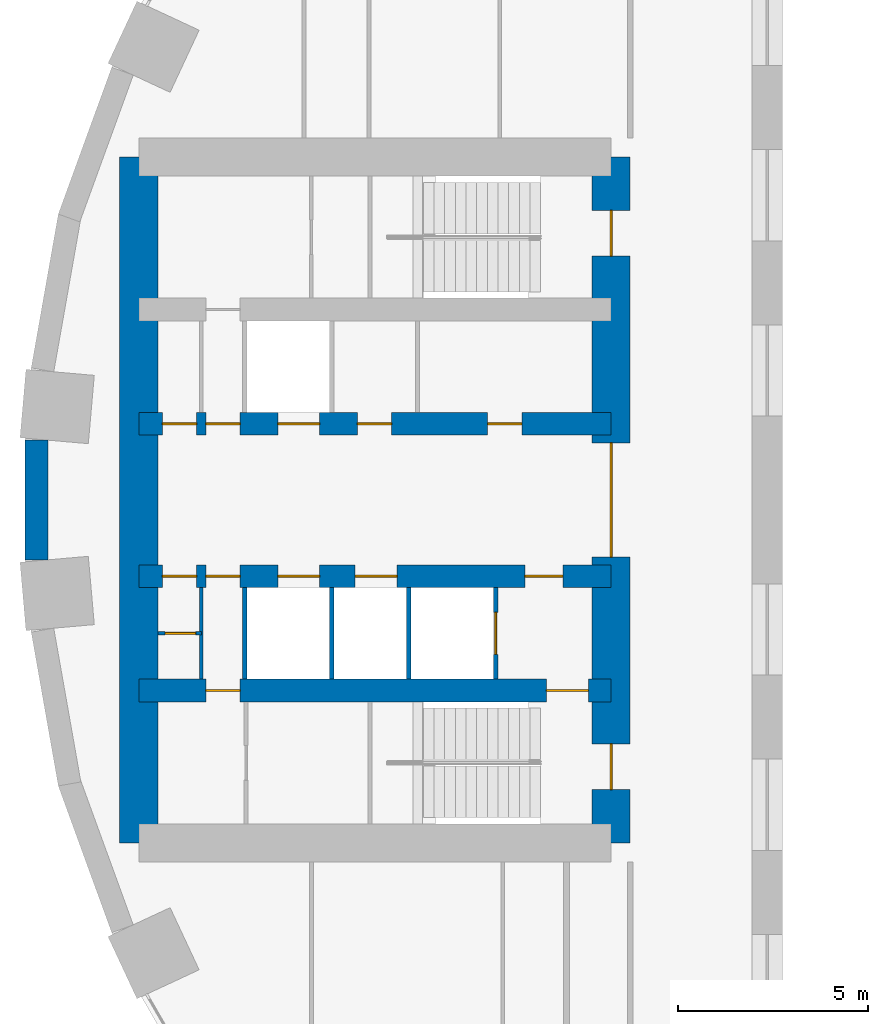
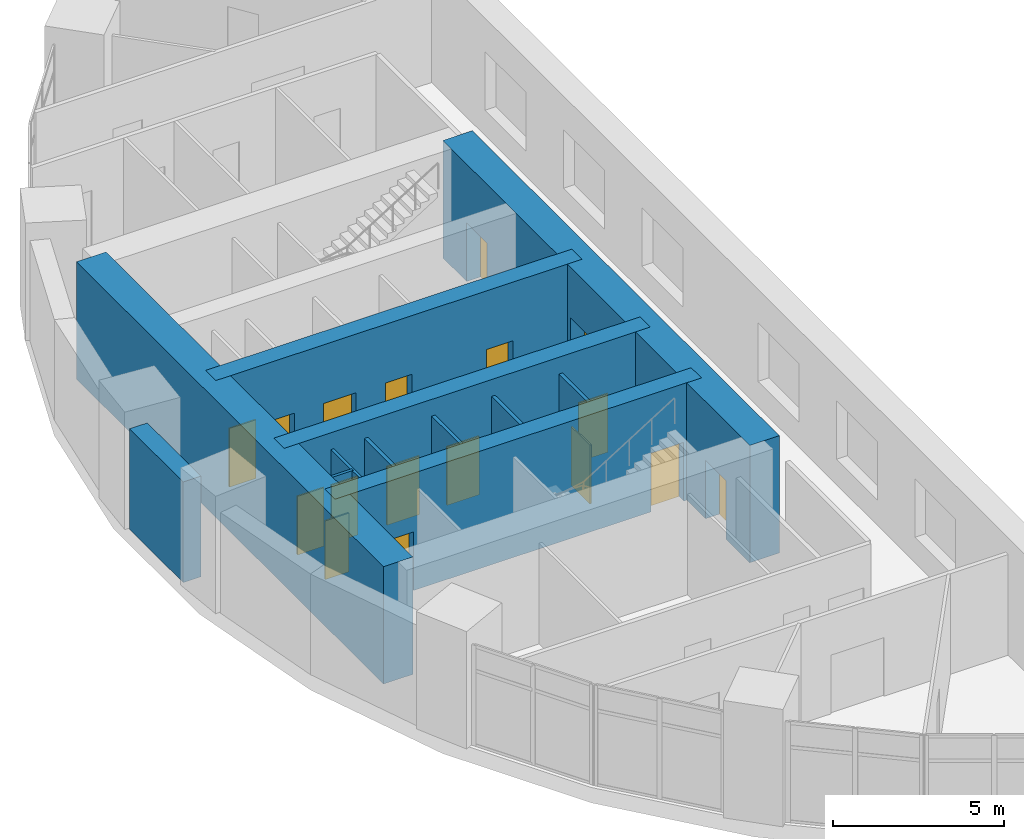
# One storey, part 10 of 15: 17 doors, 12 walls, 17 openings.
"""IFC4 building model written with IfcOpenShell, lengths in metres."""

from ifc_helpers import new_model, si_unit, direction, frame, frame_2d, origin, place, context, subcontext, project, spatial, rectangle, extrude, material, layer, layer_set, type_object, element, fill, save


model = new_model("IFC4")

# Units and contexts
model_context = context("Model", 3, precision=1e-05, world=origin(), true_north=direction((0.0, 1.0)))
body_context = subcontext(model_context, "Body", "Model", "MODEL_VIEW")
ifc_project = project(units=[si_unit("LENGTHUNIT", "METRE"), si_unit("AREAUNIT", "SQUARE_METRE"), si_unit("VOLUMEUNIT", "CUBIC_METRE"), si_unit("PLANEANGLEUNIT", "RADIAN"), si_unit("MASSUNIT", "GRAM", prefix="KILO")], contexts=[model_context])

# Site, building, storey
site_placement = place(None, origin())
site = spatial("IfcSite", under=ifc_project, at=site_placement, CompositionType="ELEMENT")
building_placement = place(site_placement, origin())
building = spatial("IfcBuilding", under=site, at=building_placement, Name="Saqina Gate Tower", CompositionType="ELEMENT")
storey_placement = place(building_placement, frame((0.0, 0.0, 17.60009765625)))
storey = spatial("IfcBuildingStorey", under=building, at=storey_placement, Name="L04", CompositionType="ELEMENT", Elevation=17.60009765625)

# Wall
ifc_material_1 = material(Name="Gypsum board on steel studs", Category="steel")
ifc_layer_1 = layer(ifc_material_1, 0.10009765625)
ifc_layer_set_1 = layer_set([ifc_layer_1], Name="CORE PARTITION")
wall_type_1 = type_object("IfcWallType", Name="CORE PARTITION", PredefinedType="PARTITIONING", material=ifc_layer_set_1)
wall_1_placement = place(storey_placement, frame((-24.260009765625, -4.699951171875, 0.0), z_axis=(0.0, 0.0, 1.0), x_axis=(0.0, 1.0, 0.0)))
element("IfcWall", 1, at=wall_1_placement, inside=storey, type_object=wall_type_1, Name="L04-CP-W09", PredefinedType="PARTITIONING", context=body_context, shape_type="SweptSolid", body=[
    extrude(rectangle(XDim=2.39990234375, YDim=0.10009765625, at=frame_2d((1.199951171875, 0.0))), origin(), (0.0, 0.0, 1.0), 3.599853515625),
])

# Wall, opening, door
wall_2_placement = place(storey_placement, frame((-24.260009765625, -3.5, 0.0), z_axis=(0.0, 0.0, 1.0), x_axis=(-1.0, 0.0, 0.0)))
wall_2 = element("IfcWall", 2, at=wall_2_placement, inside=storey, type_object=wall_type_1, Name="L04-CP-W10", PredefinedType="PARTITIONING", context=body_context, shape_type="SweptSolid", body=[
    extrude(rectangle(XDim=1.139892578125, YDim=0.10009765625, at=frame_2d((0.56982421875, 0.0))), origin(), (0.0, 0.0, 1.0), 3.599853515625),
])
opening_1_placement = place(wall_2_placement, frame((0.14990234375, 0.0, 0.0)))
opening_1 = element("IfcOpeningElement", 3, at=opening_1_placement, cuts=wall_2, Name="Opening L04-D115", PredefinedType="OPENING", context=body_context, shape_type="SweptSolid", body=[
    extrude(rectangle(XDim=0.800048828125, YDim=2.10009765625, at=frame_2d((0.39990234375, 1.050048828125))), frame((0.0, 0.06201171875, 0.0), z_axis=(0.0, -1.0, 0.0), x_axis=(1.0, 0.0, 0.0)), (0.0, 0.0, 1.0), 0.1240234375),
])
ifc_material_2 = material(Name="Steel-framed fire door leaf, EI 60", Category="steel")
door_type_1 = type_object("IfcDoorType", Name="SERVICE ROOM DOOR 800", OperationType="SINGLE_SWING_LEFT", PredefinedType="DOOR", material=ifc_material_2)
door_1_placement = place(opening_1_placement, origin())
door_1 = element("IfcDoor", 4, at=door_1_placement, inside=storey, type_object=door_type_1, Name="L04-CD-W26", OperationType="SINGLE_SWING_RIGHT", OverallHeight=2.10009765625, OverallWidth=0.800048828125, PredefinedType="DOOR", context=body_context, shape_type="SweptSolid", body=[
    extrude(rectangle(XDim=0.800048828125, YDim=2.10009765625, at=frame_2d((0.39990234375, 1.050048828125))), frame((0.0, 0.02490234375, 0.0), z_axis=(0.0, -1.0, 0.0), x_axis=(1.0, 0.0, 0.0)), (0.0, 0.0, 1.0), 0.050048828125),
])
fill(opening_1, door_1)

# Wall
ifc_material_3 = material(Name="Glazed ceramic tile (dark blue)", Category="ceramic")
ifc_layer_2 = layer(ifc_material_3, 0.60009765625)
ifc_layer_set_2 = layer_set([ifc_layer_2], Name="FW-TILE-CB")
wall_type_2 = type_object("IfcWallType", Name="FW-TILE-CB", PredefinedType="SOLIDWALL", material=ifc_layer_set_2)
wall_3_placement = place(storey_placement, frame((-28.589599609375, 1.571533203125, 0.0), z_axis=(0.0, 0.0, 1.0), x_axis=(0.0, -1.0, 0.0)))
element("IfcWall", 5, at=wall_3_placement, inside=storey, type_object=wall_type_2, Name="Facade wall L04 facet 18", PredefinedType="SOLIDWALL", context=body_context, shape_type="SweptSolid", body=[
    extrude(rectangle(XDim=3.14306640625, YDim=0.60009765625, at=frame_2d((1.571533203125, 0.0))), origin(), (0.0, 0.0, 1.0), 3.599853515625),
])

# Wall, opening, door
ifc_material_4 = material(Name="Autoclaved aerated concrete block", Category="concrete")
ifc_layer_3 = layer(ifc_material_4, 0.1201171875)
ifc_layer_set_3 = layer_set([ifc_layer_3], Name="SHAFT PARTITION")
wall_type_3 = type_object("IfcWallType", Name="SHAFT PARTITION", PredefinedType="PARTITIONING", material=ifc_layer_set_3)
wall_4_placement = place(storey_placement, frame((-16.530029296875, -4.699951171875, 0.0), z_axis=(0.0, 0.0, 1.0), x_axis=(0.0, 1.0, 0.0)))
wall_4 = element("IfcWall", 6, at=wall_4_placement, inside=storey, type_object=wall_type_3, Name="L04-CP-W05", PredefinedType="PARTITIONING", context=body_context, shape_type="SweptSolid", body=[
    extrude(rectangle(XDim=2.39990234375, YDim=0.1201171875, at=frame_2d((1.199951171875, 0.0))), origin(), (0.0, 0.0, 1.0), 3.599853515625),
])
opening_2_placement = place(wall_4_placement, frame((0.64990234375, 0.0, 0.0)))
opening_2 = element("IfcOpeningElement", 7, at=opening_2_placement, cuts=wall_4, Name="Opening L04-LD6", PredefinedType="OPENING", context=body_context, shape_type="SweptSolid", body=[
    extrude(rectangle(XDim=1.10009765625, YDim=2.10009765625, at=frame_2d((0.550048828125, 1.050048828125))), frame((0.0, 0.072021484375, 0.0), z_axis=(0.0, -1.0, 0.0), x_axis=(1.0, 0.0, 0.0)), (0.0, 0.0, 1.0), 0.14404296875),
])
ifc_material_5 = material(Name="Stainless steel", Category="steel")
door_type_2 = type_object("IfcDoorType", Name="LANDING DOOR", OperationType="DOUBLE_DOOR_SLIDING", PredefinedType="DOOR", material=ifc_material_5)
door_2_placement = place(opening_2_placement, origin())
door_2 = element("IfcDoor", 8, at=door_2_placement, inside=storey, type_object=door_type_2, Name="LANDING DOOR FF2", OperationType="DOUBLE_DOOR_SLIDING", OverallHeight=2.10009765625, OverallWidth=1.10009765625, PredefinedType="DOOR", context=body_context, shape_type="SweptSolid", body=[
    extrude(rectangle(XDim=1.10009765625, YDim=2.10009765625, at=frame_2d((0.550048828125, 1.050048828125))), frame((0.0, 0.02490234375, 0.0), z_axis=(0.0, -1.0, 0.0), x_axis=(1.0, 0.0, 0.0)), (0.0, 0.0, 1.0), 0.050048828125),
])
fill(opening_2, door_2)

# Walls
for number, where, z_axis, x_axis, name in (
    (9, (-18.81005859375, -4.699951171875, 0.0), (0.0, 0.0, 1.0), (0.0, 1.0, 0.0), "L04-CP-W06"),
    (10, (-20.840087890625, -4.699951171875, 0.0), (0.0, 0.0, 1.0), (0.0, 1.0, 0.0), "L04-CP-W07"),
    (11, (-23.1201171875, -4.699951171875, 0.0), (0.0, 0.0, 1.0), (0.0, 1.0, 0.0), "L04-CP-W08"),
):
    element("IfcWall", number, at=place(storey_placement, frame(where, z_axis=z_axis, x_axis=x_axis)), inside=storey, type_object=wall_type_3, Name=name, PredefinedType="PARTITIONING", context=body_context, shape_type="SweptSolid", body=[
        extrude(rectangle(XDim=2.39990234375, YDim=0.1201171875, at=frame_2d((1.199951171875, 0.0))), origin(), (0.0, 0.0, 1.0), 3.599853515625),
    ])

# Wall, openings, doors
ifc_material_6 = material(Name="Concrete C70/85", Category="concrete")
ifc_layer_4 = layer(ifc_material_6, 0.60009765625)
ifc_layer_set_4 = layer_set([ifc_layer_4], Name="Concrete C70/85")
wall_type_4 = type_object("IfcWallType", Name="STR-CORE WALL-P-I", PredefinedType="SHEAR", material=ifc_layer_set_4)
wall_5_placement = place(storey_placement, frame((-13.5, -5.0, 0.0), z_axis=(0.0, 0.0, 1.0), x_axis=(-1.0, 0.0, 0.0)))
wall_5 = element("IfcWall", 12, at=wall_5_placement, inside=storey, type_object=wall_type_4, Name="CORE WALL L04 W-X2", PredefinedType="SHEAR", context=body_context, shape_type="SweptSolid", body=[
    extrude(rectangle(XDim=12.39990234375, YDim=0.60009765625, at=frame_2d((6.199951171875, 0.0))), origin(), (0.0, 0.0, 1.0), 4.199951171875),
])
opening_3_placement = place(wall_5_placement, frame((9.739990234375, 0.0, 0.0)))
opening_3 = element("IfcOpeningElement", 13, at=opening_3_placement, cuts=wall_5, Name="Opening L04-D117", PredefinedType="OPENING", context=body_context, shape_type="SweptSolid", body=[
    extrude(rectangle(XDim=0.89990234375, YDim=2.10009765625, at=frame_2d((0.449951171875, 1.050048828125))), frame((0.0, 0.31201171875, 0.0), z_axis=(0.0, -1.0, 0.0), x_axis=(1.0, 0.0, 0.0)), (0.0, 0.0, 1.0), 0.6240234375),
])
opening_4_placement = place(wall_5_placement, frame((0.60009765625, 0.0, 0.0)))
opening_4 = element("IfcOpeningElement", 14, at=opening_4_placement, cuts=wall_5, Name="Opening L04-D118", PredefinedType="OPENING", context=body_context, shape_type="SweptSolid", body=[
    extrude(rectangle(XDim=1.10009765625, YDim=2.10009765625, at=frame_2d((0.550048828125, 1.050048828125))), frame((0.0, 0.31201171875, 0.0), z_axis=(0.0, -1.0, 0.0), x_axis=(1.0, 0.0, 0.0)), (0.0, 0.0, 1.0), 0.6240234375),
])
ifc_material_7 = material(Name="Steel", Category="steel")
door_type_3 = type_object("IfcDoorType", Name="FIRE LOBBY DOOR EI 60 WIDE", OperationType="SINGLE_SWING_LEFT", PredefinedType="DOOR", material=ifc_material_7)
door_3_placement = place(opening_4_placement, origin())
door_3 = element("IfcDoor", 15, at=door_3_placement, inside=storey, type_object=door_type_3, Name="L04-CD-W29", OperationType="SINGLE_SWING_LEFT", OverallHeight=2.10009765625, OverallWidth=1.10009765625, PredefinedType="DOOR", context=body_context, shape_type="SweptSolid", body=[
    extrude(rectangle(XDim=1.10009765625, YDim=2.10009765625, at=frame_2d((0.550048828125, 1.050048828125))), frame((0.0, 0.02490234375, 0.0), z_axis=(0.0, -1.0, 0.0), x_axis=(1.0, 0.0, 0.0)), (0.0, 0.0, 1.0), 0.050048828125),
])
fill(opening_4, door_3)
ifc_material_8 = material(Name="Steel-framed fire door leaf, EI 60", Category="steel")
door_type_4 = type_object("IfcDoorType", Name="SERVICE ROOM DOOR 900", OperationType="SINGLE_SWING_LEFT", PredefinedType="DOOR", material=ifc_material_8)
door_4_placement = place(opening_3_placement, origin())
door_4 = element("IfcDoor", 16, at=door_4_placement, inside=storey, type_object=door_type_4, Name="L04-CD-W28", OperationType="SINGLE_SWING_LEFT", OverallHeight=2.10009765625, OverallWidth=0.89990234375, PredefinedType="DOOR", context=body_context, shape_type="SweptSolid", body=[
    extrude(rectangle(XDim=0.89990234375, YDim=2.10009765625, at=frame_2d((0.449951171875, 1.050048828125))), frame((0.0, 0.02490234375, 0.0), z_axis=(0.0, -1.0, 0.0), x_axis=(1.0, 0.0, 0.0)), (0.0, 0.0, 1.0), 0.050048828125),
])
fill(opening_3, door_4)

wall_6_placement = place(storey_placement, frame((-13.5, 2.0, 0.0), z_axis=(0.0, 0.0, 1.0), x_axis=(-1.0, 0.0, 0.0)))
wall_6 = element("IfcWall", 17, at=wall_6_placement, inside=storey, type_object=wall_type_4, Name="CORE WALL L04 W-L1", PredefinedType="SHEAR", context=body_context, shape_type="SweptSolid", body=[
    extrude(rectangle(XDim=12.39990234375, YDim=0.60009765625, at=frame_2d((6.199951171875, 0.0))), origin(), (0.0, 0.0, 1.0), 4.199951171875),
])
opening_5_placement = place(wall_6_placement, frame((7.64990234375, 0.0, 0.0)))
opening_5 = element("IfcOpeningElement", 18, at=opening_5_placement, cuts=wall_6, Name="Opening L04-LD5", PredefinedType="OPENING", context=body_context, shape_type="SweptSolid", body=[
    extrude(rectangle(XDim=1.10009765625, YDim=2.10009765625, at=frame_2d((0.550048828125, 1.050048828125))), frame((0.0, 0.31201171875, 0.0), z_axis=(0.0, -1.0, 0.0), x_axis=(1.0, 0.0, 0.0)), (0.0, 0.0, 1.0), 0.6240234375),
])
opening_6_placement = place(wall_6_placement, frame((2.34130859375, 0.0, 0.0)))
opening_6 = element("IfcOpeningElement", 19, at=opening_6_placement, cuts=wall_6, Name="Opening L04-D106", PredefinedType="OPENING", context=body_context, shape_type="SweptSolid", body=[
    extrude(rectangle(XDim=0.89990234375, YDim=2.10009765625, at=frame_2d((0.449951171875, 1.050048828125))), frame((0.0, 0.31201171875, 0.0), z_axis=(0.0, -1.0, 0.0), x_axis=(1.0, 0.0, 0.0)), (0.0, 0.0, 1.0), 0.6240234375),
])
opening_7_placement = place(wall_6_placement, frame((5.761474609375, 0.0, 0.0)))
opening_7 = element("IfcOpeningElement", 20, at=opening_7_placement, cuts=wall_6, Name="Opening L04-D107", PredefinedType="OPENING", context=body_context, shape_type="SweptSolid", body=[
    extrude(rectangle(XDim=0.89990234375, YDim=2.10009765625, at=frame_2d((0.449951171875, 1.050048828125))), frame((0.0, 0.31201171875, 0.0), z_axis=(0.0, -1.0, 0.0), x_axis=(1.0, 0.0, 0.0)), (0.0, 0.0, 1.0), 0.6240234375),
])
opening_8_placement = place(wall_6_placement, frame((9.739990234375, 0.0, 0.0)))
opening_8 = element("IfcOpeningElement", 21, at=opening_8_placement, cuts=wall_6, Name="Opening L04-D108", PredefinedType="OPENING", context=body_context, shape_type="SweptSolid", body=[
    extrude(rectangle(XDim=0.89990234375, YDim=2.10009765625, at=frame_2d((0.449951171875, 1.050048828125))), frame((0.0, 0.31201171875, 0.0), z_axis=(0.0, -1.0, 0.0), x_axis=(1.0, 0.0, 0.0)), (0.0, 0.0, 1.0), 0.6240234375),
])
opening_9_placement = place(wall_6_placement, frame((10.8798828125, 0.0, 0.0)))
opening_9 = element("IfcOpeningElement", 22, at=opening_9_placement, cuts=wall_6, Name="Opening L04-D109", PredefinedType="OPENING", context=body_context, shape_type="SweptSolid", body=[
    extrude(rectangle(XDim=0.89990234375, YDim=2.10009765625, at=frame_2d((0.449951171875, 1.050048828125))), frame((0.0, 0.31201171875, 0.0), z_axis=(0.0, -1.0, 0.0), x_axis=(1.0, 0.0, 0.0)), (0.0, 0.0, 1.0), 0.6240234375),
])
door_5_placement = place(opening_5_placement, origin())
door_5 = element("IfcDoor", 23, at=door_5_placement, inside=storey, type_object=door_type_2, Name="LANDING DOOR LR4", OperationType="DOUBLE_DOOR_SLIDING", OverallHeight=2.10009765625, OverallWidth=1.10009765625, PredefinedType="DOOR", context=body_context, shape_type="SweptSolid", body=[
    extrude(rectangle(XDim=1.10009765625, YDim=2.10009765625, at=frame_2d((0.550048828125, 1.050048828125))), frame((0.0, 0.02490234375, 0.0), z_axis=(0.0, -1.0, 0.0), x_axis=(1.0, 0.0, 0.0)), (0.0, 0.0, 1.0), 0.050048828125),
])
fill(opening_5, door_5)
door_6_placement = place(opening_6_placement, frame((0.89990234375, 0.0, 0.0), z_axis=(0.0, 0.0, 1.0), x_axis=(-1.0, 0.0, 0.0)))
door_6 = element("IfcDoor", 24, at=door_6_placement, inside=storey, type_object=door_type_4, Name="L04-CD-W17", OperationType="SINGLE_SWING_RIGHT", OverallHeight=2.10009765625, OverallWidth=0.89990234375, PredefinedType="DOOR", context=body_context, shape_type="SweptSolid", body=[
    extrude(rectangle(XDim=0.89990234375, YDim=2.10009765625, at=frame_2d((0.449951171875, 1.050048828125))), frame((0.0, 0.02490234375, 0.0), z_axis=(0.0, -1.0, 0.0), x_axis=(1.0, 0.0, 0.0)), (0.0, 0.0, 1.0), 0.050048828125),
])
fill(opening_6, door_6)
door_7_placement = place(opening_7_placement, frame((0.89990234375, 0.0, 0.0), z_axis=(0.0, 0.0, 1.0), x_axis=(-1.0, 0.0, 0.0)))
door_7 = element("IfcDoor", 25, at=door_7_placement, inside=storey, type_object=door_type_4, Name="L04-CD-W18", OperationType="SINGLE_SWING_LEFT", OverallHeight=2.10009765625, OverallWidth=0.89990234375, PredefinedType="DOOR", context=body_context, shape_type="SweptSolid", body=[
    extrude(rectangle(XDim=0.89990234375, YDim=2.10009765625, at=frame_2d((0.449951171875, 1.050048828125))), frame((0.0, 0.02490234375, 0.0), z_axis=(0.0, -1.0, 0.0), x_axis=(1.0, 0.0, 0.0)), (0.0, 0.0, 1.0), 0.050048828125),
])
fill(opening_7, door_7)
door_8_placement = place(opening_8_placement, frame((0.89990234375, 0.0, 0.0), z_axis=(0.0, 0.0, 1.0), x_axis=(-1.0, 0.0, 0.0)))
door_8 = element("IfcDoor", 26, at=door_8_placement, inside=storey, type_object=door_type_4, Name="L04-CD-W19", OperationType="SINGLE_SWING_RIGHT", OverallHeight=2.10009765625, OverallWidth=0.89990234375, PredefinedType="DOOR", context=body_context, shape_type="SweptSolid", body=[
    extrude(rectangle(XDim=0.89990234375, YDim=2.10009765625, at=frame_2d((0.449951171875, 1.050048828125))), frame((0.0, 0.02490234375, 0.0), z_axis=(0.0, -1.0, 0.0), x_axis=(1.0, 0.0, 0.0)), (0.0, 0.0, 1.0), 0.050048828125),
])
fill(opening_8, door_8)
door_9_placement = place(opening_9_placement, frame((0.89990234375, 0.0, 0.0), z_axis=(0.0, 0.0, 1.0), x_axis=(-1.0, 0.0, 0.0)))
door_9 = element("IfcDoor", 27, at=door_9_placement, inside=storey, type_object=door_type_4, Name="L04-CD-W20", OperationType="SINGLE_SWING_LEFT", OverallHeight=2.10009765625, OverallWidth=0.89990234375, PredefinedType="DOOR", context=body_context, shape_type="SweptSolid", body=[
    extrude(rectangle(XDim=0.89990234375, YDim=2.10009765625, at=frame_2d((0.449951171875, 1.050048828125))), frame((0.0, 0.02490234375, 0.0), z_axis=(0.0, -1.0, 0.0), x_axis=(1.0, 0.0, 0.0)), (0.0, 0.0, 1.0), 0.050048828125),
])
fill(opening_9, door_9)

wall_7_placement = place(storey_placement, frame((-13.5, -2.0, 0.0), z_axis=(0.0, 0.0, 1.0), x_axis=(-1.0, 0.0, 0.0)))
wall_7 = element("IfcWall", 28, at=wall_7_placement, inside=storey, type_object=wall_type_4, Name="CORE WALL L04 W-L2", PredefinedType="SHEAR", context=body_context, shape_type="SweptSolid", body=[
    extrude(rectangle(XDim=12.39990234375, YDim=0.60009765625, at=frame_2d((6.199951171875, 0.0))), origin(), (0.0, 0.0, 1.0), 4.199951171875),
])
opening_10_placement = place(wall_7_placement, frame((5.6201171875, 0.0, 0.0)))
opening_10 = element("IfcOpeningElement", 29, at=opening_10_placement, cuts=wall_7, Name="Opening L04-LD7", PredefinedType="OPENING", context=body_context, shape_type="SweptSolid", body=[
    extrude(rectangle(XDim=1.10009765625, YDim=2.10009765625, at=frame_2d((0.550048828125, 1.050048828125))), frame((0.0, 0.31201171875, 0.0), z_axis=(0.0, -1.0, 0.0), x_axis=(1.0, 0.0, 0.0)), (0.0, 0.0, 1.0), 0.6240234375),
])
opening_11_placement = place(wall_7_placement, frame((7.64990234375, 0.0, 0.0)))
opening_11 = element("IfcOpeningElement", 30, at=opening_11_placement, cuts=wall_7, Name="Opening L04-LD8", PredefinedType="OPENING", context=body_context, shape_type="SweptSolid", body=[
    extrude(rectangle(XDim=1.10009765625, YDim=2.10009765625, at=frame_2d((0.550048828125, 1.050048828125))), frame((0.0, 0.31201171875, 0.0), z_axis=(0.0, -1.0, 0.0), x_axis=(1.0, 0.0, 0.0)), (0.0, 0.0, 1.0), 0.6240234375),
])
opening_12_placement = place(wall_7_placement, frame((1.264892578125, 0.0, 0.0)))
opening_12 = element("IfcOpeningElement", 31, at=opening_12_placement, cuts=wall_7, Name="Opening L04-D110", PredefinedType="OPENING", context=body_context, shape_type="SweptSolid", body=[
    extrude(rectangle(XDim=1.0, YDim=2.10009765625, at=frame_2d((0.5, 1.050048828125))), frame((0.0, 0.31201171875, 0.0), z_axis=(0.0, -1.0, 0.0), x_axis=(1.0, 0.0, 0.0)), (0.0, 0.0, 1.0), 0.6240234375),
])
opening_13_placement = place(wall_7_placement, frame((9.739990234375, 0.0, 0.0)))
opening_13 = element("IfcOpeningElement", 32, at=opening_13_placement, cuts=wall_7, Name="Opening L04-D111", PredefinedType="OPENING", context=body_context, shape_type="SweptSolid", body=[
    extrude(rectangle(XDim=0.89990234375, YDim=2.10009765625, at=frame_2d((0.449951171875, 1.050048828125))), frame((0.0, 0.31201171875, 0.0), z_axis=(0.0, -1.0, 0.0), x_axis=(1.0, 0.0, 0.0)), (0.0, 0.0, 1.0), 0.6240234375),
])
opening_14_placement = place(wall_7_placement, frame((10.8798828125, 0.0, 0.0)))
opening_14 = element("IfcOpeningElement", 33, at=opening_14_placement, cuts=wall_7, Name="Opening L04-D112", PredefinedType="OPENING", context=body_context, shape_type="SweptSolid", body=[
    extrude(rectangle(XDim=0.89990234375, YDim=2.10009765625, at=frame_2d((0.449951171875, 1.050048828125))), frame((0.0, 0.31201171875, 0.0), z_axis=(0.0, -1.0, 0.0), x_axis=(1.0, 0.0, 0.0)), (0.0, 0.0, 1.0), 0.6240234375),
])
ifc_material_9 = material(Name="Steel", Category="steel")
door_type_5 = type_object("IfcDoorType", Name="FIRE LOBBY DOOR EI 60", OperationType="SINGLE_SWING_LEFT", PredefinedType="DOOR", material=ifc_material_9)
door_10_placement = place(opening_12_placement, frame((1.0, 0.0, 0.0), z_axis=(0.0, 0.0, 1.0), x_axis=(-1.0, 0.0, 0.0)))
door_10 = element("IfcDoor", 34, at=door_10_placement, inside=storey, type_object=door_type_5, Name="L04-CD-W21", OperationType="SINGLE_SWING_RIGHT", OverallHeight=2.10009765625, OverallWidth=1.0, PredefinedType="DOOR", context=body_context, shape_type="SweptSolid", body=[
    extrude(rectangle(XDim=1.0, YDim=2.10009765625, at=frame_2d((0.5, 1.050048828125))), frame((0.0, 0.02490234375, 0.0), z_axis=(0.0, -1.0, 0.0), x_axis=(1.0, 0.0, 0.0)), (0.0, 0.0, 1.0), 0.050048828125),
])
fill(opening_12, door_10)
door_11_placement = place(opening_10_placement, origin())
door_11 = element("IfcDoor", 35, at=door_11_placement, inside=storey, type_object=door_type_2, Name="LANDING DOOR LR6", OperationType="DOUBLE_DOOR_SLIDING", OverallHeight=2.10009765625, OverallWidth=1.10009765625, PredefinedType="DOOR", context=body_context, shape_type="SweptSolid", body=[
    extrude(rectangle(XDim=1.10009765625, YDim=2.10009765625, at=frame_2d((0.550048828125, 1.050048828125))), frame((0.0, 0.02490234375, 0.0), z_axis=(0.0, -1.0, 0.0), x_axis=(1.0, 0.0, 0.0)), (0.0, 0.0, 1.0), 0.050048828125),
])
fill(opening_10, door_11)
door_12_placement = place(opening_11_placement, origin())
door_12 = element("IfcDoor", 36, at=door_12_placement, inside=storey, type_object=door_type_2, Name="LANDING DOOR LR5", OperationType="DOUBLE_DOOR_SLIDING", OverallHeight=2.10009765625, OverallWidth=1.10009765625, PredefinedType="DOOR", context=body_context, shape_type="SweptSolid", body=[
    extrude(rectangle(XDim=1.10009765625, YDim=2.10009765625, at=frame_2d((0.550048828125, 1.050048828125))), frame((0.0, 0.02490234375, 0.0), z_axis=(0.0, -1.0, 0.0), x_axis=(1.0, 0.0, 0.0)), (0.0, 0.0, 1.0), 0.050048828125),
])
fill(opening_11, door_12)
door_13_placement = place(opening_13_placement, origin())
door_13 = element("IfcDoor", 37, at=door_13_placement, inside=storey, type_object=door_type_4, Name="L04-CD-W22", OperationType="SINGLE_SWING_LEFT", OverallHeight=2.10009765625, OverallWidth=0.89990234375, PredefinedType="DOOR", context=body_context, shape_type="SweptSolid", body=[
    extrude(rectangle(XDim=0.89990234375, YDim=2.10009765625, at=frame_2d((0.449951171875, 1.050048828125))), frame((0.0, 0.02490234375, 0.0), z_axis=(0.0, -1.0, 0.0), x_axis=(1.0, 0.0, 0.0)), (0.0, 0.0, 1.0), 0.050048828125),
])
fill(opening_13, door_13)
door_14_placement = place(opening_14_placement, origin())
door_14 = element("IfcDoor", 38, at=door_14_placement, inside=storey, type_object=door_type_4, Name="L04-CD-W23", OperationType="SINGLE_SWING_RIGHT", OverallHeight=2.10009765625, OverallWidth=0.89990234375, PredefinedType="DOOR", context=body_context, shape_type="SweptSolid", body=[
    extrude(rectangle(XDim=0.89990234375, YDim=2.10009765625, at=frame_2d((0.449951171875, 1.050048828125))), frame((0.0, 0.02490234375, 0.0), z_axis=(0.0, -1.0, 0.0), x_axis=(1.0, 0.0, 0.0)), (0.0, 0.0, 1.0), 0.050048828125),
])
fill(opening_14, door_14)

ifc_material_10 = material(Name="Concrete C70/85", Category="concrete")
ifc_layer_5 = layer(ifc_material_10, 1.0)
ifc_layer_set_5 = layer_set([ifc_layer_5], Name="Concrete C70/85")
wall_type_5 = type_object("IfcWallType", Name="STR-CORE WALL-P-O", PredefinedType="SHEAR", material=ifc_layer_set_5)
wall_8_placement = place(storey_placement, frame((-13.5, -9.0, 0.0), z_axis=(0.0, 0.0, 1.0), x_axis=(0.0, 1.0, 0.0)))
wall_8 = element("IfcWall", 39, at=wall_8_placement, inside=storey, type_object=wall_type_5, Name="CORE WALL L04 W-W1", PredefinedType="SHEAR", context=body_context, shape_type="SweptSolid", body=[
    extrude(rectangle(XDim=18.0, YDim=1.0, at=frame_2d((9.0, 0.0))), origin(), (0.0, 0.0, 1.0), 4.199951171875),
])
opening_15_placement = place(wall_8_placement, frame((15.39990234375, 0.0, 0.0)))
opening_15 = element("IfcOpeningElement", 40, at=opening_15_placement, cuts=wall_8, Name="Opening L04-D119", PredefinedType="OPENING", context=body_context, shape_type="SweptSolid", body=[
    extrude(rectangle(XDim=1.199951171875, YDim=2.10009765625, at=frame_2d((0.60009765625, 1.050048828125))), frame((0.0, 0.511962890625, 0.0), z_axis=(0.0, -1.0, 0.0), x_axis=(1.0, 0.0, 0.0)), (0.0, 0.0, 1.0), 1.02392578125),
])
opening_16_placement = place(wall_8_placement, frame((1.39990234375, 0.0, 0.0)))
opening_16 = element("IfcOpeningElement", 41, at=opening_16_placement, cuts=wall_8, Name="Opening L04-D120", PredefinedType="OPENING", context=body_context, shape_type="SweptSolid", body=[
    extrude(rectangle(XDim=1.199951171875, YDim=2.10009765625, at=frame_2d((0.60009765625, 1.050048828125))), frame((0.0, 0.511962890625, 0.0), z_axis=(0.0, -1.0, 0.0), x_axis=(1.0, 0.0, 0.0)), (0.0, 0.0, 1.0), 1.02392578125),
])
opening_17_placement = place(wall_8_placement, frame((7.5, 0.0, 0.0)))
opening_17 = element("IfcOpeningElement", 42, at=opening_17_placement, cuts=wall_8, Name="Opening L04-D121", PredefinedType="OPENING", context=body_context, shape_type="SweptSolid", body=[
    extrude(rectangle(XDim=3.0, YDim=2.39990234375, at=frame_2d((1.5, 1.199951171875))), frame((0.0, 0.511962890625, 0.0), z_axis=(0.0, -1.0, 0.0), x_axis=(1.0, 0.0, 0.0)), (0.0, 0.0, 1.0), 1.02392578125),
])
ifc_material_11 = material(Name="Steel", Category="steel")
door_type_6 = type_object("IfcDoorType", Name="FIRE DOOR EI 60", OperationType="SINGLE_SWING_LEFT", PredefinedType="DOOR", material=ifc_material_11)
door_15_placement = place(opening_15_placement, origin())
door_15 = element("IfcDoor", 43, at=door_15_placement, inside=storey, type_object=door_type_6, Name="L04-CD-W30", OperationType="SINGLE_SWING_RIGHT", OverallHeight=2.10009765625, OverallWidth=1.199951171875, PredefinedType="DOOR", context=body_context, shape_type="SweptSolid", body=[
    extrude(rectangle(XDim=1.199951171875, YDim=2.10009765625, at=frame_2d((0.60009765625, 1.050048828125))), frame((0.0, 0.02490234375, 0.0), z_axis=(0.0, -1.0, 0.0), x_axis=(1.0, 0.0, 0.0)), (0.0, 0.0, 1.0), 0.050048828125),
])
fill(opening_15, door_15)
door_16_placement = place(opening_16_placement, origin())
door_16 = element("IfcDoor", 44, at=door_16_placement, inside=storey, type_object=door_type_6, Name="L04-CD-W31", OperationType="SINGLE_SWING_LEFT", OverallHeight=2.10009765625, OverallWidth=1.199951171875, PredefinedType="DOOR", context=body_context, shape_type="SweptSolid", body=[
    extrude(rectangle(XDim=1.199951171875, YDim=2.10009765625, at=frame_2d((0.60009765625, 1.050048828125))), frame((0.0, 0.02490234375, 0.0), z_axis=(0.0, -1.0, 0.0), x_axis=(1.0, 0.0, 0.0)), (0.0, 0.0, 1.0), 0.050048828125),
])
fill(opening_16, door_16)
ifc_material_12 = material(Name="Steel and fire-resisting glass", Category="steel")
door_type_7 = type_object("IfcDoorType", Name="LOBBY SCREEN DOOR", OperationType="DOUBLE_DOOR_SLIDING", PredefinedType="DOOR", material=ifc_material_12)
door_17_placement = place(opening_17_placement, origin())
door_17 = element("IfcDoor", 45, at=door_17_placement, inside=storey, type_object=door_type_7, Name="L04-CD-W32", OperationType="DOUBLE_DOOR_SLIDING", OverallHeight=2.39990234375, OverallWidth=3.0, PredefinedType="DOOR", context=body_context, shape_type="SweptSolid", body=[
    extrude(rectangle(XDim=3.0, YDim=2.39990234375, at=frame_2d((1.5, 1.199951171875))), frame((0.0, 0.02490234375, 0.0), z_axis=(0.0, -1.0, 0.0), x_axis=(1.0, 0.0, 0.0)), (0.0, 0.0, 1.0), 0.050048828125),
])
fill(opening_17, door_17)

# Wall
wall_9_placement = place(storey_placement, frame((-25.89990234375, -9.0, 0.0), z_axis=(0.0, 0.0, 1.0), x_axis=(0.0, 1.0, 0.0)))
element("IfcWall", 46, at=wall_9_placement, inside=storey, type_object=wall_type_5, Name="CORE WALL L04 W-W2", PredefinedType="SHEAR", context=body_context, shape_type="SweptSolid", body=[
    extrude(rectangle(XDim=18.0, YDim=1.0, at=frame_2d((9.0, 0.0))), origin(), (0.0, 0.0, 1.0), 4.199951171875),
])

save(model, "model.ifc")
